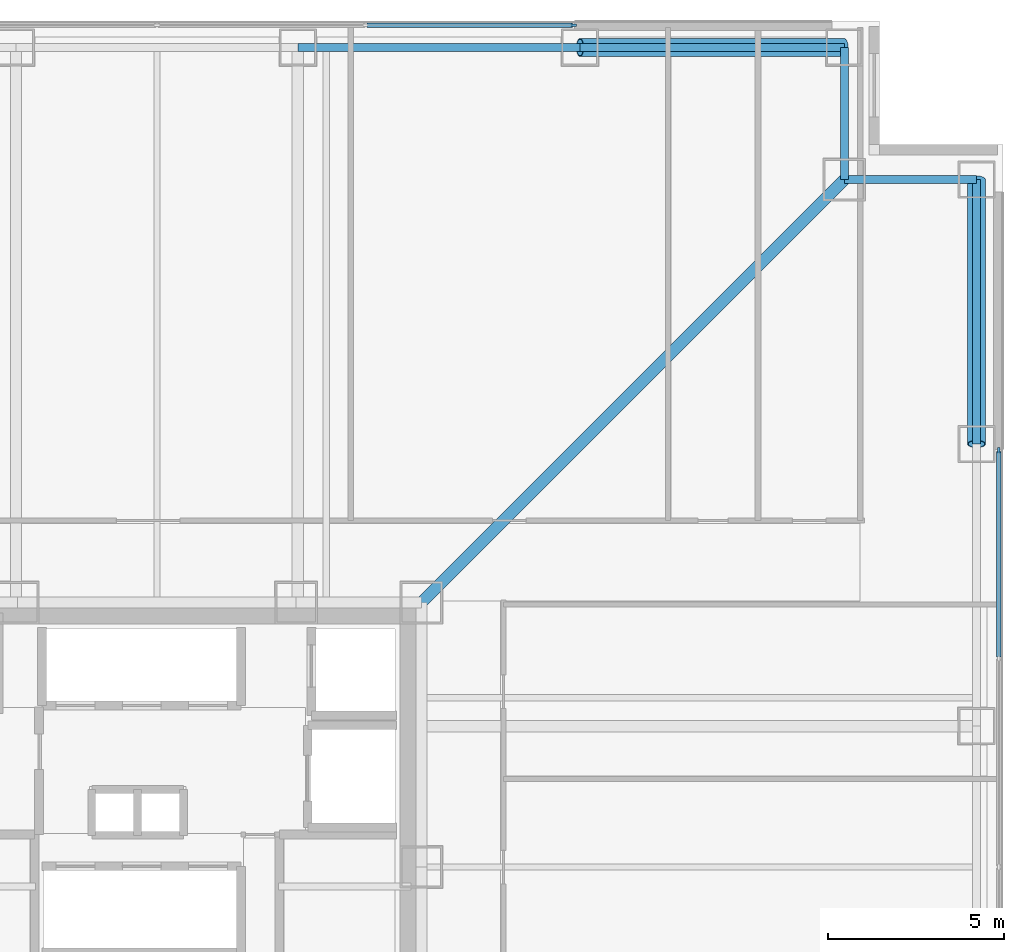
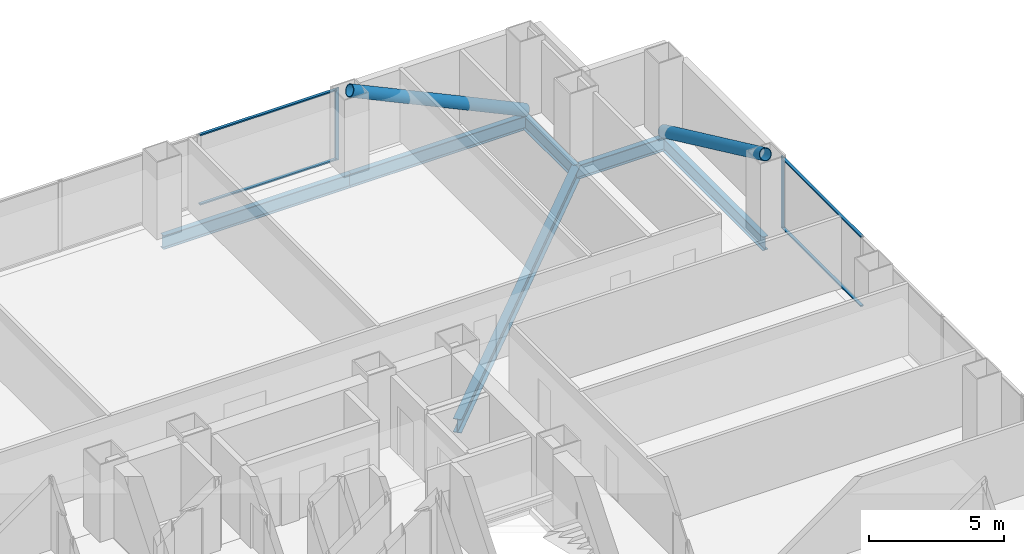
# One storey, part 9 of 15: 8 members, 6 beams, 2 elements without a shape of their own.
"""IFC4 building model written with IfcOpenShell, lengths in metres."""

from ifc_helpers import new_model, si_unit, direction, frame, origin, origin_2d, place, context, subcontext, project, spatial, rectangle, hollow_circle, i_section, extrude, material, layer, layer_set, material_profile, profile_set, type_object, element, aggregate, save


model = new_model("IFC4")

# Units and contexts
model_context = context("Model", 3, precision=1e-05, world=origin(), true_north=direction((0.0, 1.0)))
body_context = subcontext(model_context, "Body", "Model", "MODEL_VIEW")
ifc_project = project(units=[si_unit("LENGTHUNIT", "METRE"), si_unit("AREAUNIT", "SQUARE_METRE"), si_unit("VOLUMEUNIT", "CUBIC_METRE"), si_unit("PLANEANGLEUNIT", "RADIAN"), si_unit("MASSUNIT", "GRAM", prefix="KILO")], contexts=[model_context])

# Site, building, storey
site_placement = place(None, origin())
site = spatial("IfcSite", under=ifc_project, at=site_placement, CompositionType="ELEMENT")
building_placement = place(site_placement, origin())
building = spatial("IfcBuilding", under=site, at=building_placement, Name="Trevonay Congress Spire", CompositionType="ELEMENT")
storey_placement = place(building_placement, frame((0.0, 0.0, 44.5)))
storey = spatial("IfcBuildingStorey", under=building, at=storey_placement, Name="L10", CompositionType="ELEMENT", Elevation=44.5)

# Beams
ifc_material_1 = material(Name="Steel ASTM A572 Grade 50", Category="steel")
ifc_material_profile_1 = material_profile(ifc_material_1, i_section(OverallWidth=0.324951171875, OverallDepth=0.615966796875, WebThickness=0.013916015625, FlangeThickness=0.021484375, FilletRadius=0.01806640625, at=origin_2d()), Name="W610x174")
ifc_profile_set_1 = profile_set([ifc_material_profile_1], Name="Steel ASTM A572 Grade 50")
beam_type_1 = type_object("IfcBeamType", Name="BM-GIRD-W610X174", PredefinedType="BEAM", material=ifc_profile_set_1)
beam_1_placement = place(storey_placement, frame((7.5, 7.5, -0.55810546875), z_axis=(0.707106781187, 0.707106781187, 0.0), x_axis=(-0.707106781187, 0.707106781187, 0.0)))
element("IfcBeam", 1, at=beam_1_placement, inside=storey, type_object=beam_type_1, Name="L10 structural beam BM-L10-CDNE", PredefinedType="BEAM", context=body_context, shape_type="SweptSolid", body=[
    extrude(i_section(OverallWidth=0.324951171875, OverallDepth=0.615966796875, WebThickness=0.013916015625, FlangeThickness=0.021484375, FilletRadius=0.01806640625, at=origin_2d()), origin(), (0.0, 0.0, 1.0), 16.970458984375),
])
ifc_material_profile_2 = material_profile(ifc_material_1, i_section(OverallWidth=0.22998046875, OverallDepth=0.616943359375, WebThickness=0.01318359375, FlangeThickness=0.022216796875, FilletRadius=0.01611328125, at=origin_2d()), Name="W610x140")
ifc_profile_set_2 = profile_set([ifc_material_profile_2], Name="Steel ASTM A572 Grade 50")
beam_type_2 = type_object("IfcBeamType", Name="BM-RING-W610X140", PredefinedType="BEAM", material=ifc_profile_set_2)
beam_2_placement = place(storey_placement, frame((4.0, 23.25, -0.55859375), z_axis=(1.0, 0.0, 0.0), x_axis=(0.0, 1.0, 0.0)))
element("IfcBeam", 2, at=beam_2_placement, inside=storey, type_object=beam_type_2, Name="L10 structural beam BM-L10-PN4", PredefinedType="BEAM", context=body_context, shape_type="SweptSolid", body=[
    extrude(i_section(OverallWidth=0.22998046875, OverallDepth=0.616943359375, WebThickness=0.01318359375, FlangeThickness=0.022216796875, FilletRadius=0.01611328125, at=origin_2d()), origin(), (0.0, 0.0, 1.0), 8.0),
])
for number, where, z_axis, x_axis, name in (
    (3, (12.0, 23.25, -0.55859375), (1.0, 0.0, 0.0), (0.0, 1.0, 0.0), "L10 structural beam BM-L10-PN5"),
    (4, (23.25, 12.0, -0.55859375), (0.0, 1.0, 0.0), (-1.0, 0.0, 0.0), "L10 structural beam BM-L10-PE5"),
):
    element("IfcBeam", number, at=place(storey_placement, frame(where, z_axis=z_axis, x_axis=x_axis)), inside=storey, type_object=beam_type_2, Name=name, PredefinedType="BEAM", context=body_context, shape_type="SweptSolid", body=[
        extrude(i_section(OverallWidth=0.22998046875, OverallDepth=0.616943359375, WebThickness=0.01318359375, FlangeThickness=0.022216796875, FilletRadius=0.01611328125, at=origin_2d()), origin(), (0.0, 0.0, 1.0), 7.5),
    ])
for number, where, z_axis, x_axis, name in (
    (5, (19.5, 23.25, -0.55859375), (0.0, -1.0, 0.0), (1.0, 0.0, 0.0), "L10 structural beam BM-L10-N1NE"),
    (6, (23.25, 19.5, -0.55859375), (-1.0, 0.0, 0.0), (0.0, -1.0, 0.0), "L10 structural beam BM-L10-N2NE"),
):
    element("IfcBeam", number, at=place(storey_placement, frame(where, z_axis=z_axis, x_axis=x_axis)), inside=storey, type_object=beam_type_2, Name=name, PredefinedType="BEAM", context=body_context, shape_type="SweptSolid", body=[
        extrude(i_section(OverallWidth=0.22998046875, OverallDepth=0.616943359375, WebThickness=0.01318359375, FlangeThickness=0.022216796875, FilletRadius=0.01611328125, at=origin_2d()), origin(), (0.0, 0.0, 1.0), 3.75),
    ])

# Curtain wall, member
ifc_material_2 = material(Name="Pale Anodised Aluminium EN AW-6063-T6", Category="aluminium")
ifc_layer = layer(ifc_material_2, 0.179931640625, Name="Pale Anodised Aluminium EN AW-6063-T6")
ifc_layer_set = layer_set([ifc_layer], Name="Pale Anodised Aluminium EN AW-6063-T6")
curtain_wall_type = type_object("IfcCurtainWallType", Name="CW-SYS02-HOTEL-PALE-METAL", PredefinedType="NOTDEFINED", material=ifc_layer_set)
curtain_wall_1_placement = place(storey_placement, origin())
curtain_wall_1 = element("IfcCurtainWall", 7, at=curtain_wall_1_placement, inside=storey, type_object=curtain_wall_type, Name="L10 N unitised curtain wall", PredefinedType="NOTDEFINED")
ifc_material_profile_3 = material_profile(ifc_material_2, rectangle(XDim=0.06005859375, YDim=0.159912109375, at=origin_2d()), Name="CW-MULLION-160-ALUMINIUM")
ifc_profile_set_3 = profile_set([ifc_material_profile_3], Name="Pale Anodised Aluminium EN AW-6063-T6")
member_type_1 = type_object("IfcMemberType", Name="CW-MULLION-160-ALUMINIUM", PredefinedType="MULLION", material=ifc_profile_set_3)
member_1_placement = place(storey_placement, frame((11.820068359375, 23.8798828125, 0.0), z_axis=(0.0, 0.0, 1.0), x_axis=(0.0, 1.0, 0.0)))
member_1 = element("IfcMember", 8, at=member_1_placement, type_object=member_type_1, Name="CW02 mullion 5", PredefinedType="MULLION", context=body_context, shape_type="SweptSolid", body=[
    extrude(rectangle(XDim=0.06005859375, YDim=0.159912109375, at=origin_2d()), origin(), (0.0, 0.0, 1.0), 3.25),
])

curtain_wall_2_placement = place(storey_placement, origin())
curtain_wall_2 = element("IfcCurtainWall", 9, at=curtain_wall_2_placement, inside=storey, type_object=curtain_wall_type, Name="L10 E unitised curtain wall", PredefinedType="NOTDEFINED")
member_2_placement = place(storey_placement, frame((23.8798828125, 11.820068359375, 0.0), z_axis=(0.0, 0.0, 1.0), x_axis=(-1.0, 0.0, 0.0)))
member_2 = element("IfcMember", 10, at=member_2_placement, type_object=member_type_1, Name="CW02 mullion 5", PredefinedType="MULLION", context=body_context, shape_type="SweptSolid", body=[
    extrude(rectangle(XDim=0.06005859375, YDim=0.159912109375, at=origin_2d()), origin(), (0.0, 0.0, 1.0), 3.25),
])

# Member
ifc_material_profile_4 = material_profile(ifc_material_2, rectangle(XDim=0.1201171875, YDim=0.06005859375, at=origin_2d()), Name="CW-TRANSOM-120-ALUMINIUM")
ifc_profile_set_4 = profile_set([ifc_material_profile_4], Name="Pale Anodised Aluminium EN AW-6063-T6")
member_type_2 = type_object("IfcMemberType", Name="CW-TRANSOM-120-ALUMINIUM", PredefinedType="USERDEFINED", material=ifc_profile_set_4)
member_3_placement = place(storey_placement, frame((5.955078125, 23.8798828125, 0.06005859375), z_axis=(1.0, 0.0, 0.0), x_axis=(0.0, 1.0, 0.0)))
member_3 = element("IfcMember", 11, at=member_3_placement, type_object=member_type_2, Name="CW02 transom 4.1", ObjectType="TRANSOM", PredefinedType="USERDEFINED", context=body_context, shape_type="SweptSolid", body=[
    extrude(rectangle(XDim=0.1201171875, YDim=0.06005859375, at=origin_2d()), origin(), (0.0, 0.0, 1.0), 5.8349609375),
])

member_4_placement = place(storey_placement, frame((5.955078125, 23.8798828125, 3.18994140625), z_axis=(1.0, 0.0, 0.0), x_axis=(0.0, 1.0, 0.0)))
member_4 = element("IfcMember", 12, at=member_4_placement, type_object=member_type_2, Name="CW02 transom 4.2", ObjectType="TRANSOM", PredefinedType="USERDEFINED", context=body_context, shape_type="SweptSolid", body=[
    extrude(rectangle(XDim=0.1201171875, YDim=0.06005859375, at=origin_2d()), origin(), (0.0, 0.0, 1.0), 5.8349609375),
])

aggregate(curtain_wall_1, [member_1, member_3, member_4])

member_5_placement = place(storey_placement, frame((23.8798828125, 5.955078125, 0.06005859375), z_axis=(0.0, 1.0, 0.0), x_axis=(-1.0, 0.0, 0.0)))
member_5 = element("IfcMember", 13, at=member_5_placement, type_object=member_type_2, Name="CW02 transom 4.1", ObjectType="TRANSOM", PredefinedType="USERDEFINED", context=body_context, shape_type="SweptSolid", body=[
    extrude(rectangle(XDim=0.1201171875, YDim=0.06005859375, at=origin_2d()), origin(), (0.0, 0.0, 1.0), 5.8349609375),
])

member_6_placement = place(storey_placement, frame((23.8798828125, 5.955078125, 3.18994140625), z_axis=(0.0, 1.0, 0.0), x_axis=(-1.0, 0.0, 0.0)))
member_6 = element("IfcMember", 14, at=member_6_placement, type_object=member_type_2, Name="CW02 transom 4.2", ObjectType="TRANSOM", PredefinedType="USERDEFINED", context=body_context, shape_type="SweptSolid", body=[
    extrude(rectangle(XDim=0.1201171875, YDim=0.06005859375, at=origin_2d()), origin(), (0.0, 0.0, 1.0), 5.8349609375),
])

aggregate(curtain_wall_2, [member_2, member_5, member_6])

# Members
ifc_material_profile_5 = material_profile(ifc_material_1, hollow_circle(Radius=0.25390625, WallThickness=0.02490234375, at=origin_2d()), Name="CHS 508x25")
ifc_profile_set_5 = profile_set([ifc_material_profile_5], Name="Steel ASTM A572 Grade 50")
member_type_3 = type_object("IfcMemberType", Name="MBR-TUBE-CHS508", PredefinedType="BRACE", material=ifc_profile_set_5)
for number, where, z_axis, x_axis, name in (
    (15, (19.5, 23.25, -0.050048828125), (-0.906183139995, 0.0, 0.422885465331), (0.0, -1.0, 0.0), "L10 perimeter braced-tube diagonal N4"),
    (16, (23.25, 19.5, -0.050048828125), (0.0, -0.906183139995, 0.422885465331), (1.0, 0.0, 0.0), "L10 perimeter braced-tube diagonal E4"),
):
    element("IfcMember", number, at=place(storey_placement, frame(where, z_axis=z_axis, x_axis=x_axis)), inside=storey, type_object=member_type_3, Name=name, PredefinedType="BRACE", context=body_context, shape_type="SweptSolid", body=[
        extrude(hollow_circle(Radius=0.25390625, WallThickness=0.02490234375, at=origin_2d()), origin(), (0.0, 0.0, 1.0), 8.2763671875),
    ])

save(model, "model.ifc")
